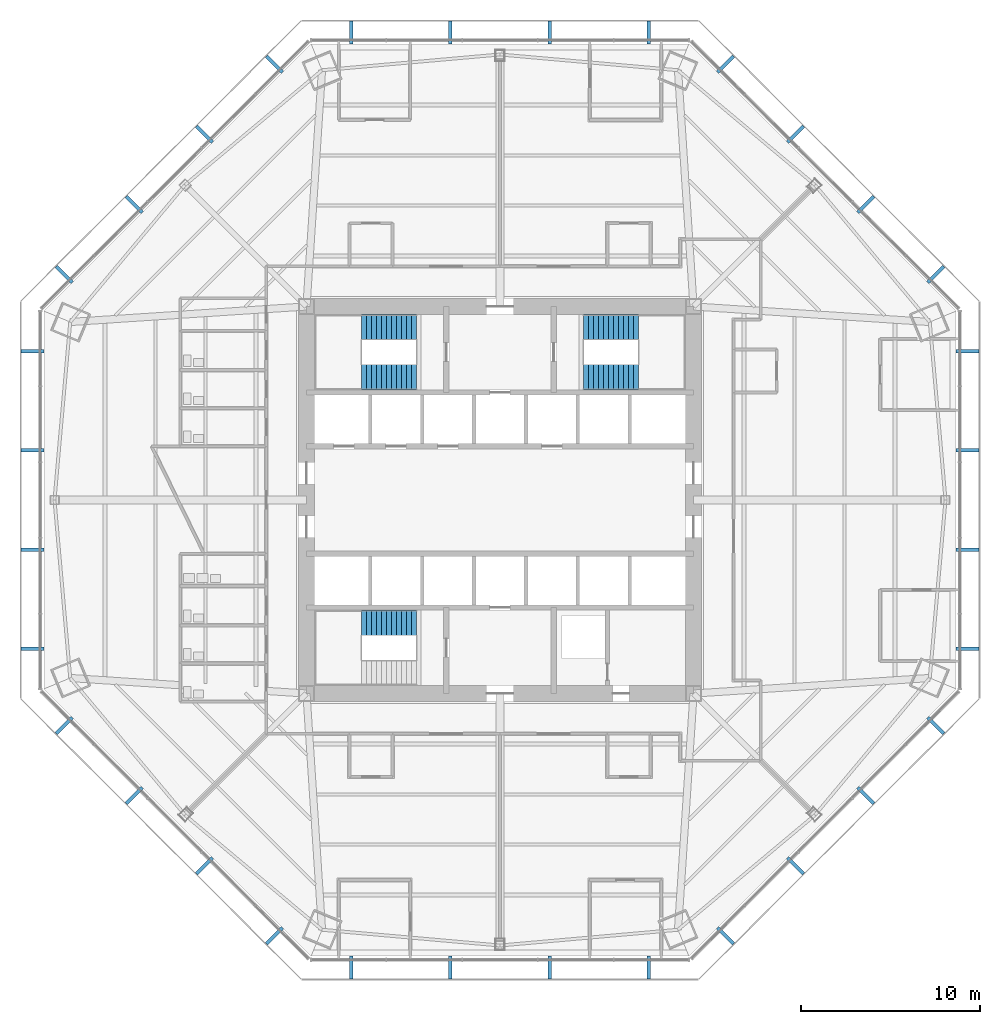
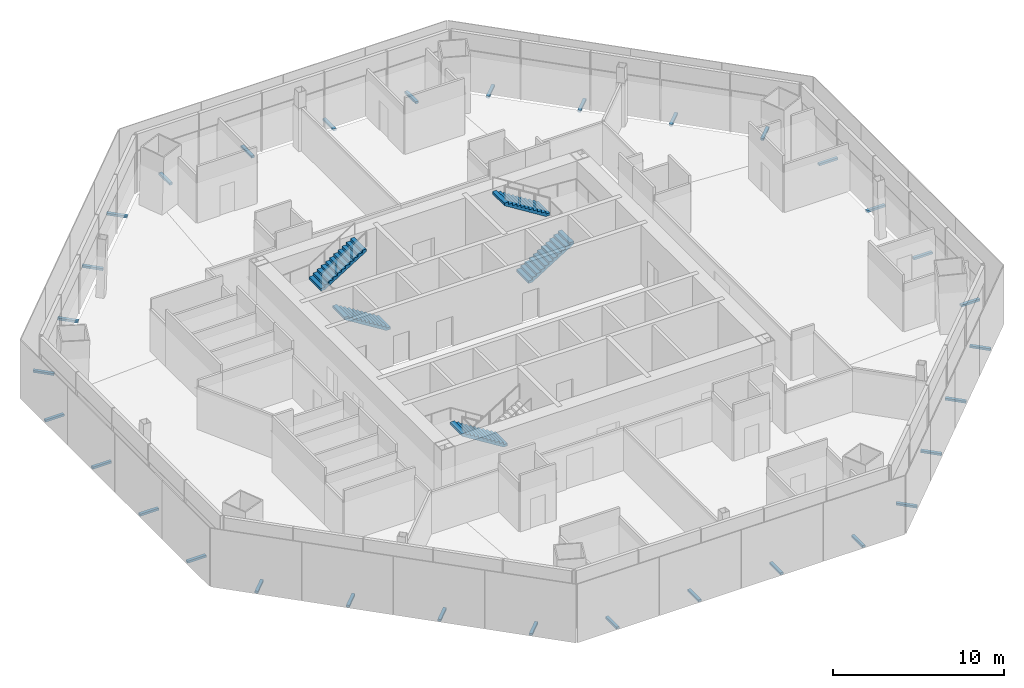
# One storey, part 14 of 18: 32 discrete accessories, 5 stair flights, 3 elements without a shape of their own.
"""IFC4 building model written with IfcOpenShell, lengths in metres."""

import ifcopenshell
import ifcopenshell.guid

model = None  # the IFC model being written
_history = None  # IfcOwnerHistory: only IFC2X3 demands one
_inside = {}  # id of a spatial element -> (the spatial element, [elements in it])
_under = {}  # id of a project, library or spatial element -> (it, [spatial elements below it])
_declared = {}  # id of a project -> (the project, [libraries it declares])
_typed = {}  # id of a type object -> (the type object, [elements of that type])
_made_of = {}  # id of a material, layer set ... -> (it, [elements and type objects made of it])


def new_model(schema):
    """Start an empty IFC model of exactly this schema.

    Asked for "IFC4X3", IfcOpenShell would pick the latest addendum, in which some entities
    have other attributes; the version numbers below select the first issue.
    IFC2X3 requires an IfcOwnerHistory on every rooted entity: one is made here for all.
    """
    global model, _history
    if schema == "IFC4X3":
        model = ifcopenshell.file(schema_version=(4, 3, 0, 0))
    else:
        model = ifcopenshell.file(schema=schema)
    _inside.clear()
    _under.clear()
    _declared.clear()
    _typed.clear()
    _made_of.clear()
    _history = None
    if model.schema == "IFC2X3":
        org = make("IfcOrganization", Name="unknown")
        user = make(
            "IfcPersonAndOrganization",
            ThePerson=make("IfcPerson", FamilyName="unknown"),
            TheOrganization=org,
        )
        app = make(
            "IfcApplication",
            ApplicationDeveloper=org,
            Version="unknown",
            ApplicationFullName="unknown",
            ApplicationIdentifier="unknown",
        )
        _history = make(
            "IfcOwnerHistory",
            OwningUser=user,
            OwningApplication=app,
            ChangeAction="ADDED",
            CreationDate=0,
        )
    return model


def make(cls, **values):
    """One entity of the class cls with the attributes given. An attribute that is None is left unset."""
    return model.create_entity(
        cls, **{name: value for name, value in values.items() if value is not None}
    )


def rooted(cls, **values):
    """An entity with a GlobalId (a new one), such as an element, a storey or a relation."""
    return make(cls, GlobalId=ifcopenshell.guid.new(), OwnerHistory=_history, **values)


def si_unit(unit_type, name, prefix=None):
    """IfcSIUnit, for example si_unit("LENGTHUNIT", "METRE", prefix="MILLI")."""
    return make("IfcSIUnit", UnitType=unit_type, Prefix=prefix, Name=name)


def assignment(units):
    """IfcUnitAssignment: the units of a project."""
    return None if units is None else make("IfcUnitAssignment", Units=units)


def point(xyz):
    """IfcCartesianPoint."""
    return None if xyz is None else make("IfcCartesianPoint", Coordinates=xyz)


def direction(xyz):
    """IfcDirection."""
    return None if xyz is None else make("IfcDirection", DirectionRatios=xyz)


def frame(location, z_axis=None, x_axis=None):
    """IfcAxis2Placement3D, a coordinate frame: its origin and axes. An axis left out is left unset."""
    return make(
        "IfcAxis2Placement3D",
        Location=point(location),
        Axis=direction(z_axis),
        RefDirection=direction(x_axis),
    )


def frame_2d(location, x_axis=None):
    """IfcAxis2Placement2D, a coordinate frame in the plane: its origin and x axis."""
    return make(
        "IfcAxis2Placement2D", Location=point(location), RefDirection=direction(x_axis)
    )


def origin():
    """The frame at (0, 0, 0) with its axes left unset."""
    return frame((0.0, 0.0, 0.0))


def origin_2d():
    """The frame at (0, 0) in the plane with its x axis left unset."""
    return frame_2d((0.0, 0.0))


def place(relative_to, where):
    """IfcLocalPlacement: puts the frame where relative to a parent placement (None: the world)."""
    return make(
        "IfcLocalPlacement", PlacementRelTo=relative_to, RelativePlacement=where
    )


def context(
    kind, dimensions, precision=None, world=None, true_north=None, identifier=None
):
    """IfcGeometricRepresentationContext, for example the 3D "Model" context."""
    return make(
        "IfcGeometricRepresentationContext",
        ContextIdentifier=identifier,
        ContextType=kind,
        CoordinateSpaceDimension=dimensions,
        Precision=precision,
        WorldCoordinateSystem=world,
        TrueNorth=true_north,
    )


def subcontext(parent, identifier, kind, view, scale=None):
    """IfcGeometricRepresentationSubContext, for example "Body" below "Model"."""
    return make(
        "IfcGeometricRepresentationSubContext",
        ContextIdentifier=identifier,
        ContextType=kind,
        ParentContext=parent,
        TargetScale=scale,
        TargetView=view,
    )


def project(units=None, contexts=None):
    """IfcProject with its units and contexts."""
    return rooted(
        "IfcProject",
        Name="project",
        RepresentationContexts=contexts,
        UnitsInContext=assignment(units),
    )


def spatial(cls, under=None, at=None, **own):
    """A site, building, storey or space (cls), placed at a placement, below another one or the project."""
    s = rooted(cls, ObjectPlacement=at, **own)
    if under is not None:
        _under.setdefault(under.id(), (under, []))[1].append(s)
    return s


def polyline(points):
    """IfcPolyline through the points."""
    return make("IfcPolyline", Points=[point(p) for p in points])


def profile(cls, at=None, kind="AREA", **sizes):
    """A parametric profile (cls). Its sizes go by their IFC names, for example OverallWidth=200.0."""
    return make(cls, ProfileType=kind, Position=at, **sizes)


def rectangle(**sizes):
    """IfcRectangleProfileDef."""
    return profile("IfcRectangleProfileDef", **sizes)


def outline(outer, holes=None, kind="AREA"):
    """IfcArbitraryClosedProfileDef: a profile drawn as a closed curve; with holes, ...WithVoids."""
    if holes is None:
        return make("IfcArbitraryClosedProfileDef", ProfileType=kind, OuterCurve=outer)
    return make(
        "IfcArbitraryProfileDefWithVoids",
        ProfileType=kind,
        OuterCurve=outer,
        InnerCurves=holes,
    )


def extrude(swept, where, along, depth):
    """IfcExtrudedAreaSolid: the profile swept, set in the frame where, extruded along a direction by depth."""
    return make(
        "IfcExtrudedAreaSolid",
        SweptArea=swept,
        Position=where,
        ExtrudedDirection=direction(along),
        Depth=depth,
    )


def shape(context_of_items, identifier, shape_type, items):
    """IfcShapeRepresentation: the items that make up one representation, for example the "Body"."""
    return make(
        "IfcShapeRepresentation",
        ContextOfItems=context_of_items,
        RepresentationIdentifier=identifier,
        RepresentationType=shape_type,
        Items=items,
    )


def source(mapping_origin, context_of_items, identifier, shape_type, items):
    """IfcRepresentationMap: a shape defined once, which mapped items show again and again."""
    return make(
        "IfcRepresentationMap",
        MappingOrigin=mapping_origin,
        MappedRepresentation=shape(context_of_items, identifier, shape_type, items),
    )


def transform(
    local_origin,
    x_axis=None,
    y_axis=None,
    z_axis=None,
    scale=None,
    scale2=None,
    scale3=None,
    uniform=True,
):
    """IfcCartesianTransformationOperator3D, or its non-uniform kind. x_axis, y_axis, z_axis: its Axis1, 2, 3."""
    if uniform:
        return make(
            "IfcCartesianTransformationOperator3D",
            Axis1=direction(x_axis),
            Axis2=direction(y_axis),
            LocalOrigin=point(local_origin),
            Scale=scale,
            Axis3=direction(z_axis),
        )
    return make(
        "IfcCartesianTransformationOperator3DnonUniform",
        Axis1=direction(x_axis),
        Axis2=direction(y_axis),
        LocalOrigin=point(local_origin),
        Scale=scale,
        Axis3=direction(z_axis),
        Scale2=scale2,
        Scale3=scale3,
    )


def mapped(mapping_source, mapping_target):
    """IfcMappedItem: shows the shape of a source again, moved by a transform."""
    return make(
        "IfcMappedItem", MappingSource=mapping_source, MappingTarget=mapping_target
    )


def material(Name=None, Category=None):
    """IfcMaterial."""
    return make("IfcMaterial", Name=Name, Category=Category)


def made_of(thing, what):
    """Note that an element or type object is made of a material, layer set ...; save() writes the relation."""
    if what is not None:
        _made_of.setdefault(what.id(), (what, []))[1].append(thing)
    return thing


def type_object(cls, material=None, **own):
    """A type object (cls), such as IfcWallType, which elements share."""
    return made_of(rooted(cls, **own), material)


def type_shapes(of_type, sources):
    """Give a type object the sources (RepresentationMaps) that its elements show as mapped items."""
    of_type.RepresentationMaps = sources


def element(
    cls,
    number,
    at=None,
    inside=None,
    cuts=None,
    type_object=None,
    material=None,
    context=None,
    identifier="Body",
    shape_type=None,
    held_by="IfcProductDefinitionShape",
    body=None,
    shapes=None,
    **own,
):
    """One element of the class cls, such as IfcWall. Its Tag is "e" and its number.

    at: its placement. inside: the storey or other place that contains it. cuts: it is an
    opening in that element (IfcRelVoidsElement). A single representation is given by context,
    identifier, shape_type and body (its items); several are given by shapes. held_by: the class
    of the entity that holds the representations. save() writes the other relations.
    """
    e = rooted(cls, Tag="e%d" % number, ObjectPlacement=at, **own)
    if body is not None:
        shapes = [shape(context, identifier, shape_type, body)]
    if shapes is not None:
        e.Representation = make(held_by, Representations=shapes)
    if inside is not None:
        _inside.setdefault(inside.id(), (inside, []))[1].append(e)
    if cuts is not None:
        rooted(
            "IfcRelVoidsElement", RelatingBuildingElement=cuts, RelatedOpeningElement=e
        )
    if type_object is not None:
        _typed.setdefault(type_object.id(), (type_object, []))[1].append(e)
    return made_of(e, material)


def aggregate(whole, parts):
    """IfcRelAggregates: a whole, such as a stair, and the parts it consists of."""
    return rooted("IfcRelAggregates", RelatingObject=whole, RelatedObjects=parts)


def save(model, path):
    """Write the relations noted so far, then the file.

    IfcRelAggregates (storeys below a building ...), IfcRelContainedInSpatialStructure (elements
    in a storey), IfcRelDefinesByType, IfcRelAssociatesMaterial and IfcRelDeclares: one each for
    every whole, place, type object, material and project.
    """
    for whole, parts in _under.values():
        aggregate(whole, parts)
    for where, things in _inside.values():
        rooted(
            "IfcRelContainedInSpatialStructure",
            RelatedElements=things,
            RelatingStructure=where,
        )
    for kind, things in _typed.values():
        rooted("IfcRelDefinesByType", RelatedObjects=things, RelatingType=kind)
    for what, things in _made_of.values():
        rooted("IfcRelAssociatesMaterial", RelatedObjects=things, RelatingMaterial=what)
    for by, libraries in _declared.values():
        rooted("IfcRelDeclares", RelatingContext=by, RelatedDefinitions=libraries)
    model.write(path)


model = new_model("IFC4")

# Units and contexts
model_context = context("Model", 3, precision=1e-05, world=origin(), true_north=direction((0.0, 1.0)))
body_context = subcontext(model_context, "Body", "Model", "MODEL_VIEW")
ifc_project = project(units=[si_unit("LENGTHUNIT", "METRE"), si_unit("AREAUNIT", "SQUARE_METRE"), si_unit("VOLUMEUNIT", "CUBIC_METRE"), si_unit("PLANEANGLEUNIT", "RADIAN"), si_unit("MASSUNIT", "GRAM", prefix="KILO")], contexts=[model_context])

# Site, building, storey
site_placement = place(None, origin())
site = spatial("IfcSite", under=ifc_project, at=site_placement, CompositionType="ELEMENT")
building_placement = place(site_placement, origin())
building = spatial("IfcBuilding", under=site, at=building_placement, Name="Mashrafa Tower", CompositionType="ELEMENT")
storey_placement = place(building_placement, frame((0.0, 0.0, 83.39990234375)))
storey = spatial("IfcBuildingStorey", under=building, at=storey_placement, Name="L18", CompositionType="ELEMENT", Elevation=83.39990234375)

# Stair, stair flights
ifc_material_1 = material(Name="Exit stair 1400")
stair_type = type_object("IfcStairType", Name="Exit stair 1400", PredefinedType="HALF_TURN_STAIR", material=ifc_material_1)
stair_1_placement = place(storey_placement, origin())
stair_1 = element("IfcStair", 1, at=stair_1_placement, inside=storey, type_object=stair_type, Name="Stair S1 L18", PredefinedType="HALF_TURN_STAIR")
ifc_material_2 = material(Name="Concrete C32/40", Category="concrete")
stair_flight_type = type_object("IfcStairFlightType", Name="Stair flight 1400", PredefinedType="STRAIGHT", material=ifc_material_2)
stair_flight_1_placement = place(storey_placement, frame((-4.64990234375, 6.85009765625, 0.0), z_axis=(0.0, 0.0, 1.0), x_axis=(-1.0, 0.0, 0.0)))
stair_flight_1 = element("IfcStairFlight", 2, at=stair_flight_1_placement, type_object=stair_flight_type, Name="S1 flight 1", NumberOfRisers=12, NumberOfTreads=11, PredefinedType="STRAIGHT", RiserHeight=0.175, TreadLength=0.28, context=body_context, shape_type="SweptSolid", body=[
    extrude(outline(polyline([(0.0, 0.0), (0.0, 0.175048828125), (0.280029296875, 0.175048828125), (0.280029296875, 0.35009765625), (0.56005859375, 0.35009765625), (0.56005859375, 0.52490234375), (0.840087890625, 0.52490234375), (0.840087890625, 0.699951171875), (1.1201171875, 0.699951171875), (1.1201171875, 0.875), (1.39990234375, 0.875), (1.39990234375, 1.050048828125), (1.679931640625, 1.050048828125), (1.679931640625, 1.22509765625), (1.9599609375, 1.22509765625), (1.9599609375, 1.39990234375), (2.239990234375, 1.39990234375), (2.239990234375, 1.574951171875), (2.52001953125, 1.574951171875), (2.52001953125, 1.75), (2.800048828125, 1.75), (2.800048828125, 1.925048828125), (3.080078125, 1.925048828125), (3.080078125, 2.10009765625), (3.080078125, 1.748291015625), (0.28271484375, 0.0), (0.0, 0.0)])), frame((0.0, 0.699951171875, 0.0), z_axis=(0.0, -1.0, 0.0), x_axis=(1.0, 0.0, 0.0)), (0.0, 0.0, 1.0), 1.39990234375),
])
stair_flight_2_placement = place(storey_placement, frame((-7.72998046875, 9.64990234375, 2.10009765625), z_axis=(0.0, 0.0, 1.0), x_axis=(1.0, 0.0, 0.0)))
stair_flight_2 = element("IfcStairFlight", 3, at=stair_flight_2_placement, type_object=stair_flight_type, Name="S1 flight 2", NumberOfRisers=12, NumberOfTreads=11, PredefinedType="STRAIGHT", RiserHeight=0.175, TreadLength=0.28, context=body_context, shape_type="SweptSolid", body=[
    extrude(outline(polyline([(0.0, 0.0), (0.0, 0.175048828125), (0.280029296875, 0.175048828125), (0.280029296875, 0.35009765625), (0.56005859375, 0.35009765625), (0.56005859375, 0.52490234375), (0.840087890625, 0.52490234375), (0.840087890625, 0.699951171875), (1.1201171875, 0.699951171875), (1.1201171875, 0.875), (1.39990234375, 0.875), (1.39990234375, 1.050048828125), (1.679931640625, 1.050048828125), (1.679931640625, 1.22509765625), (1.9599609375, 1.22509765625), (1.9599609375, 1.39990234375), (2.239990234375, 1.39990234375), (2.239990234375, 1.574951171875), (2.52001953125, 1.574951171875), (2.52001953125, 1.75), (2.800048828125, 1.75), (2.800048828125, 1.925048828125), (3.080078125, 1.925048828125), (3.080078125, 2.10009765625), (3.080078125, 1.748291015625), (0.28271484375, 0.0), (0.0, 0.0)])), frame((0.0, 0.699951171875, 0.0), z_axis=(0.0, -1.0, 0.0), x_axis=(1.0, 0.0, 0.0)), (0.0, 0.0, 1.0), 1.39990234375),
])
aggregate(stair_1, [stair_flight_1, stair_flight_2])

stair_2_placement = place(storey_placement, origin())
stair_2 = element("IfcStair", 4, at=stair_2_placement, inside=storey, type_object=stair_type, Name="Stair S2 L18", PredefinedType="HALF_TURN_STAIR")
stair_flight_3_placement = place(storey_placement, frame((4.64990234375, 6.85009765625, 0.0), z_axis=(0.0, 0.0, 1.0), x_axis=(1.0, 0.0, 0.0)))
stair_flight_3 = element("IfcStairFlight", 5, at=stair_flight_3_placement, type_object=stair_flight_type, Name="S2 flight 1", NumberOfRisers=12, NumberOfTreads=11, PredefinedType="STRAIGHT", RiserHeight=0.175, TreadLength=0.28, context=body_context, shape_type="SweptSolid", body=[
    extrude(outline(polyline([(0.0, 0.0), (0.0, 0.175048828125), (0.280029296875, 0.175048828125), (0.280029296875, 0.35009765625), (0.56005859375, 0.35009765625), (0.56005859375, 0.52490234375), (0.840087890625, 0.52490234375), (0.840087890625, 0.699951171875), (1.1201171875, 0.699951171875), (1.1201171875, 0.875), (1.39990234375, 0.875), (1.39990234375, 1.050048828125), (1.679931640625, 1.050048828125), (1.679931640625, 1.22509765625), (1.9599609375, 1.22509765625), (1.9599609375, 1.39990234375), (2.239990234375, 1.39990234375), (2.239990234375, 1.574951171875), (2.52001953125, 1.574951171875), (2.52001953125, 1.75), (2.800048828125, 1.75), (2.800048828125, 1.925048828125), (3.080078125, 1.925048828125), (3.080078125, 2.10009765625), (3.080078125, 1.748291015625), (0.28271484375, 0.0), (0.0, 0.0)])), frame((0.0, 0.699951171875, 0.0), z_axis=(0.0, -1.0, 0.0), x_axis=(1.0, 0.0, 0.0)), (0.0, 0.0, 1.0), 1.39990234375),
])
stair_flight_4_placement = place(storey_placement, frame((7.72998046875, 9.64990234375, 2.10009765625), z_axis=(0.0, 0.0, 1.0), x_axis=(-1.0, 0.0, 0.0)))
stair_flight_4 = element("IfcStairFlight", 6, at=stair_flight_4_placement, type_object=stair_flight_type, Name="S2 flight 2", NumberOfRisers=12, NumberOfTreads=11, PredefinedType="STRAIGHT", RiserHeight=0.175, TreadLength=0.28, context=body_context, shape_type="SweptSolid", body=[
    extrude(outline(polyline([(0.0, 0.0), (0.0, 0.175048828125), (0.280029296875, 0.175048828125), (0.280029296875, 0.35009765625), (0.56005859375, 0.35009765625), (0.56005859375, 0.52490234375), (0.840087890625, 0.52490234375), (0.840087890625, 0.699951171875), (1.1201171875, 0.699951171875), (1.1201171875, 0.875), (1.39990234375, 0.875), (1.39990234375, 1.050048828125), (1.679931640625, 1.050048828125), (1.679931640625, 1.22509765625), (1.9599609375, 1.22509765625), (1.9599609375, 1.39990234375), (2.239990234375, 1.39990234375), (2.239990234375, 1.574951171875), (2.52001953125, 1.574951171875), (2.52001953125, 1.75), (2.800048828125, 1.75), (2.800048828125, 1.925048828125), (3.080078125, 1.925048828125), (3.080078125, 2.10009765625), (3.080078125, 1.748291015625), (0.28271484375, 0.0), (0.0, 0.0)])), frame((0.0, 0.699951171875, 0.0), z_axis=(0.0, -1.0, 0.0), x_axis=(1.0, 0.0, 0.0)), (0.0, 0.0, 1.0), 1.39990234375),
])
aggregate(stair_2, [stair_flight_3, stair_flight_4])

# Stair, stair flight
stair_3_placement = place(storey_placement, origin())
stair_3 = element("IfcStair", 7, at=stair_3_placement, inside=storey, type_object=stair_type, Name="Stair S3 L18", PredefinedType="HALF_TURN_STAIR")
stair_flight_5_placement = place(storey_placement, frame((-4.64990234375, -6.85009765625, 0.0), z_axis=(0.0, 0.0, 1.0), x_axis=(-1.0, 0.0, 0.0)))
stair_flight_5 = element("IfcStairFlight", 8, at=stair_flight_5_placement, type_object=stair_flight_type, Name="S3 flight 1", NumberOfRisers=12, NumberOfTreads=11, PredefinedType="STRAIGHT", RiserHeight=0.175, TreadLength=0.28, context=body_context, shape_type="SweptSolid", body=[
    extrude(outline(polyline([(0.0, 0.0), (0.0, 0.175048828125), (0.280029296875, 0.175048828125), (0.280029296875, 0.35009765625), (0.56005859375, 0.35009765625), (0.56005859375, 0.52490234375), (0.840087890625, 0.52490234375), (0.840087890625, 0.699951171875), (1.1201171875, 0.699951171875), (1.1201171875, 0.875), (1.39990234375, 0.875), (1.39990234375, 1.050048828125), (1.679931640625, 1.050048828125), (1.679931640625, 1.22509765625), (1.9599609375, 1.22509765625), (1.9599609375, 1.39990234375), (2.239990234375, 1.39990234375), (2.239990234375, 1.574951171875), (2.52001953125, 1.574951171875), (2.52001953125, 1.75), (2.800048828125, 1.75), (2.800048828125, 1.925048828125), (3.080078125, 1.925048828125), (3.080078125, 2.10009765625), (3.080078125, 1.748291015625), (0.28271484375, 0.0), (0.0, 0.0)])), frame((0.0, 0.699951171875, 0.0), z_axis=(0.0, -1.0, 0.0), x_axis=(1.0, 0.0, 0.0)), (0.0, 0.0, 1.0), 1.39990234375),
])
aggregate(stair_3, [stair_flight_5])

# Discrete accessories
ifc_material_3 = material(Name="Stainless steel screen bracket", Category="steel")
discrete_accessory_type = type_object("IfcDiscreteAccessoryType", Name="Screen support bracket 200 x 150", PredefinedType="BRACKET", material=ifc_material_3)
shared_shape = source(origin(), body_context, "Body", "SweptSolid", [
    extrude(rectangle(XDim=0.199951171875, YDim=1.27001953125, at=origin_2d()), origin(), (0.0, 0.0, 1.0), 0.14990234375),
])
type_shapes(discrete_accessory_type, [shared_shape])
for number, where, z_axis, x_axis, name in (
    (9, (26.09033203125, -8.294921875, -0.14990234375), (0.0, 0.0, 1.0), (0.0, 1.0, 0.0), "Screen support bracket L18 east 1"),
    (10, (26.09033203125, -2.764892578125, -0.14990234375), (0.0, 0.0, 1.0), (0.0, 1.0, 0.0), "Screen support bracket L18 east 2"),
    (11, (26.09033203125, 2.764892578125, -0.14990234375), (0.0, 0.0, 1.0), (0.0, 1.0, 0.0), "Screen support bracket L18 east 3"),
    (12, (26.09033203125, 8.294921875, -0.14990234375), (0.0, 0.0, 1.0), (0.0, 1.0, 0.0), "Screen support bracket L18 east 4"),
    (13, (24.314208984375, 12.583251953125, -0.14990234375), (0.0, 0.0, 1.0), (-0.707106781187, 0.707106781187, 0.0), "Screen support bracket L18 north-east 1"),
    (14, (20.40380859375, 16.49365234375, -0.14990234375), (0.0, 0.0, 1.0), (-0.707106781187, 0.707106781187, 0.0), "Screen support bracket L18 north-east 2"),
    (15, (16.49365234375, 20.40380859375, -0.14990234375), (0.0, 0.0, 1.0), (-0.707106781187, 0.707106781187, 0.0), "Screen support bracket L18 north-east 3"),
    (16, (12.583251953125, 24.314208984375, -0.14990234375), (0.0, 0.0, 1.0), (-0.707106781187, 0.707106781187, 0.0), "Screen support bracket L18 north-east 4"),
    (17, (8.294921875, 26.09033203125, -0.14990234375), (0.0, 0.0, 1.0), (-1.0, 0.0, 0.0), "Screen support bracket L18 north 1"),
    (18, (2.764892578125, 26.09033203125, -0.14990234375), (0.0, 0.0, 1.0), (-1.0, 0.0, 0.0), "Screen support bracket L18 north 2"),
    (19, (-2.764892578125, 26.09033203125, -0.14990234375), (0.0, 0.0, 1.0), (-1.0, 0.0, 0.0), "Screen support bracket L18 north 3"),
    (20, (-8.294921875, 26.09033203125, -0.14990234375), (0.0, 0.0, 1.0), (-1.0, 0.0, 0.0), "Screen support bracket L18 north 4"),
    (21, (-12.583251953125, 24.314208984375, -0.14990234375), (0.0, 0.0, 1.0), (-0.707106781187, -0.707106781187, 0.0), "Screen support bracket L18 north-west 1"),
    (22, (-16.49365234375, 20.40380859375, -0.14990234375), (0.0, 0.0, 1.0), (-0.707106781187, -0.707106781187, 0.0), "Screen support bracket L18 north-west 2"),
    (23, (-20.40380859375, 16.49365234375, -0.14990234375), (0.0, 0.0, 1.0), (-0.707106781187, -0.707106781187, 0.0), "Screen support bracket L18 north-west 3"),
    (24, (-24.314208984375, 12.583251953125, -0.14990234375), (0.0, 0.0, 1.0), (-0.707106781187, -0.707106781187, 0.0), "Screen support bracket L18 north-west 4"),
    (25, (-26.09033203125, 8.294921875, -0.14990234375), (0.0, 0.0, 1.0), (0.0, -1.0, 0.0), "Screen support bracket L18 west 1"),
    (26, (-26.09033203125, 2.764892578125, -0.14990234375), (0.0, 0.0, 1.0), (0.0, -1.0, 0.0), "Screen support bracket L18 west 2"),
    (27, (-26.09033203125, -2.764892578125, -0.14990234375), (0.0, 0.0, 1.0), (0.0, -1.0, 0.0), "Screen support bracket L18 west 3"),
    (28, (-26.09033203125, -8.294921875, -0.14990234375), (0.0, 0.0, 1.0), (0.0, -1.0, 0.0), "Screen support bracket L18 west 4"),
    (29, (-24.314208984375, -12.583251953125, -0.14990234375), (0.0, 0.0, 1.0), (0.707106781187, -0.707106781187, 0.0), "Screen support bracket L18 south-west 1"),
    (30, (-20.40380859375, -16.49365234375, -0.14990234375), (0.0, 0.0, 1.0), (0.707106781187, -0.707106781187, 0.0), "Screen support bracket L18 south-west 2"),
    (31, (-16.49365234375, -20.40380859375, -0.14990234375), (0.0, 0.0, 1.0), (0.707106781187, -0.707106781187, 0.0), "Screen support bracket L18 south-west 3"),
    (32, (-12.583251953125, -24.314208984375, -0.14990234375), (0.0, 0.0, 1.0), (0.707106781187, -0.707106781187, 0.0), "Screen support bracket L18 south-west 4"),
    (33, (-8.294921875, -26.09033203125, -0.14990234375), (0.0, 0.0, 1.0), (1.0, 0.0, 0.0), "Screen support bracket L18 south 1"),
    (34, (-2.764892578125, -26.09033203125, -0.14990234375), (0.0, 0.0, 1.0), (1.0, 0.0, 0.0), "Screen support bracket L18 south 2"),
    (35, (2.764892578125, -26.09033203125, -0.14990234375), (0.0, 0.0, 1.0), (1.0, 0.0, 0.0), "Screen support bracket L18 south 3"),
    (36, (8.294921875, -26.09033203125, -0.14990234375), (0.0, 0.0, 1.0), (1.0, 0.0, 0.0), "Screen support bracket L18 south 4"),
    (37, (12.583251953125, -24.314208984375, -0.14990234375), (0.0, 0.0, 1.0), (0.707106781187, 0.707106781187, 0.0), "Screen support bracket L18 south-east 1"),
    (38, (16.49365234375, -20.40380859375, -0.14990234375), (0.0, 0.0, 1.0), (0.707106781187, 0.707106781187, 0.0), "Screen support bracket L18 south-east 2"),
    (39, (20.40380859375, -16.49365234375, -0.14990234375), (0.0, 0.0, 1.0), (0.707106781187, 0.707106781187, 0.0), "Screen support bracket L18 south-east 3"),
    (40, (24.314208984375, -12.583251953125, -0.14990234375), (0.0, 0.0, 1.0), (0.707106781187, 0.707106781187, 0.0), "Screen support bracket L18 south-east 4"),
):
    element("IfcDiscreteAccessory", number, at=place(storey_placement, frame(where, z_axis=z_axis, x_axis=x_axis)), inside=storey, type_object=discrete_accessory_type, Name=name, PredefinedType="BRACKET", context=body_context, shape_type="MappedRepresentation", body=[
        mapped(shared_shape, transform((0.0, 0.0, 0.0))),
    ])

save(model, "model.ifc")
